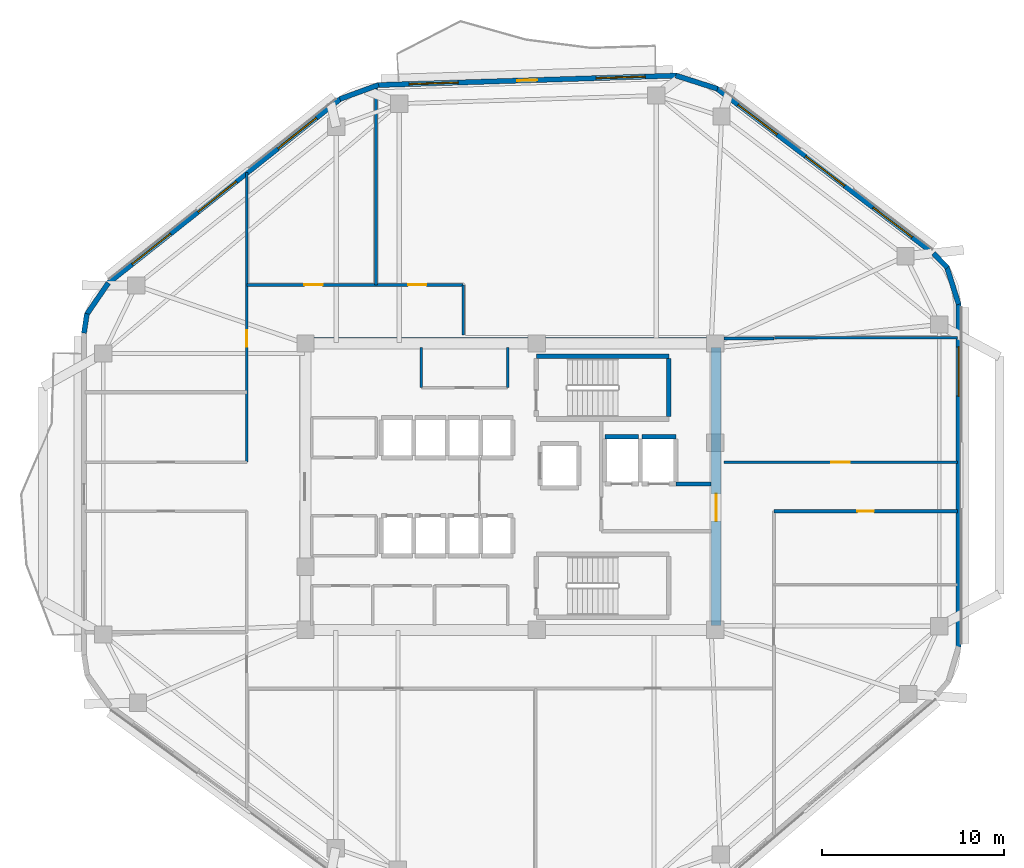
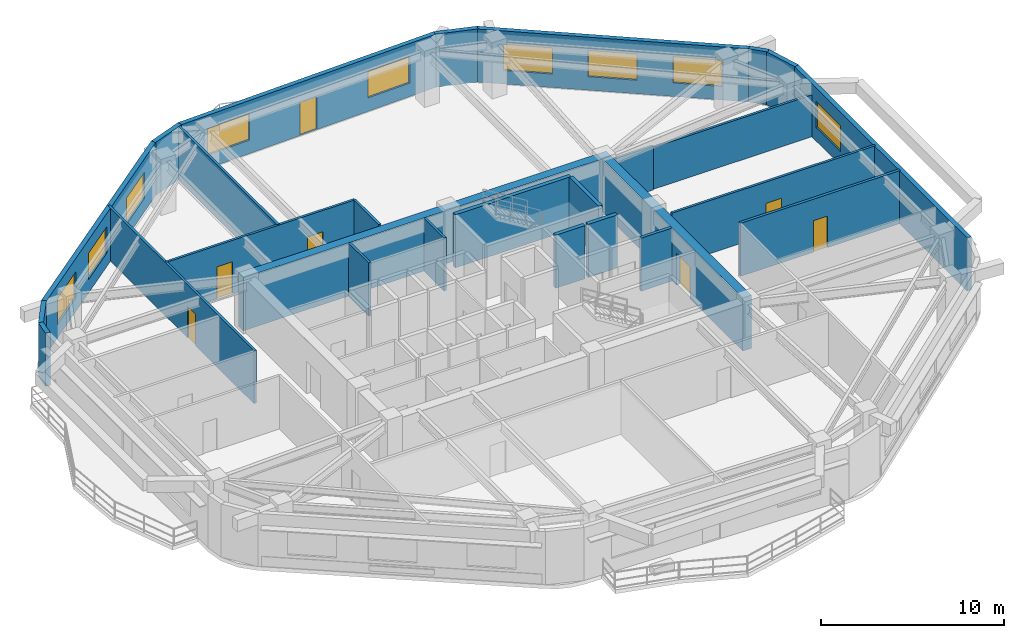
# One storey, part 5 of 9: 27 walls, 9 windows, 7 doors, 16 openings.
"""IFC4 building model written with IfcOpenShell, lengths in metres."""

from ifc_helpers import new_model, si_unit, direction, frame, frame_2d, origin, place, context, subcontext, project, spatial, rectangle, extrude, material, layer, layer_set, type_object, element, fill, save


model = new_model("IFC4")

# Units and contexts
model_context = context("Model", 3, precision=1e-05, world=origin(), true_north=direction((0.0, 1.0)))
body_context = subcontext(model_context, "Body", "Model", "MODEL_VIEW")
ifc_project = project(units=[si_unit("LENGTHUNIT", "METRE"), si_unit("AREAUNIT", "SQUARE_METRE"), si_unit("VOLUMEUNIT", "CUBIC_METRE"), si_unit("PLANEANGLEUNIT", "RADIAN"), si_unit("MASSUNIT", "GRAM", prefix="KILO")], contexts=[model_context])

# Site, building, storey
site_placement = place(None, origin())
site = spatial("IfcSite", under=ifc_project, at=site_placement, CompositionType="ELEMENT")
building_placement = place(site_placement, origin())
building = spatial("IfcBuilding", under=site, at=building_placement, Name="Zulverin Broadcast Headquarters", CompositionType="ELEMENT")
storey_placement = place(building_placement, frame((0.0, 0.0, 189.60009765625)))
storey = spatial("IfcBuildingStorey", under=building, at=storey_placement, Name="L48", CompositionType="ELEMENT", Elevation=189.60009765625)

# Wall
ifc_material_1 = material(Name="Concrete C60/75", Category="concrete")
ifc_layer_1 = layer(ifc_material_1, 0.550048828125, Name="Concrete C60/75", Category="concrete")
ifc_layer_set_1 = layer_set([ifc_layer_1], Name="Concrete C60/75")
wall_type_1 = type_object("IfcWallType", Name="WL-CORE-550", PredefinedType="SHEAR", material=ifc_layer_set_1)
wall_1_placement = place(storey_placement, frame((25.39990234375, 33.125, 0.0), z_axis=(0.0, 0.0, 1.0), x_axis=(1.0, 0.0, 0.0)))
element("IfcWall", 1, at=wall_1_placement, inside=storey, type_object=wall_type_1, Name="L48 Core North Shear Wall", PredefinedType="SHEAR", context=body_context, shape_type="SweptSolid", body=[
    extrude(rectangle(XDim=23.2001953125, YDim=0.550048828125, at=frame_2d((11.60009765625, 0.0))), origin(), (0.0, 0.0, 1.0), 3.539794921875),
])

# Wall, opening, door
wall_2_placement = place(storey_placement, frame((48.324951171875, 17.550048828125, 0.0), z_axis=(0.0, 0.0, 1.0), x_axis=(0.0, 1.0, 0.0)))
wall_2 = element("IfcWall", 2, at=wall_2_placement, inside=storey, type_object=wall_type_1, Name="L48 Core East Shear Wall", PredefinedType="SHEAR", context=body_context, shape_type="SweptSolid", body=[
    extrude(rectangle(XDim=15.300048828125, YDim=0.550048828125, at=frame_2d((7.64990234375, 0.0))), origin(), (0.0, 0.0, 1.0), 3.539794921875),
])
opening_1_placement = place(wall_2_placement, frame((5.75, 0.0, 0.0)))
opening_1 = element("IfcOpeningElement", 3, at=opening_1_placement, cuts=wall_2, Name="Opening D-L48-CE1", PredefinedType="OPENING", context=body_context, shape_type="SweptSolid", body=[
    extrude(rectangle(XDim=1.5, YDim=2.14990234375, at=frame_2d((0.75, 1.074951171875))), frame((0.0, 0.284912109375, 0.0), z_axis=(0.0, -1.0, 0.0), x_axis=(1.0, 0.0, 0.0)), (0.0, 0.0, 1.0), 0.570068359375),
])
ifc_material_2 = material(Name="Fire-rated glazed steel frame", Category="steel")
door_type_1 = type_object("IfcDoorType", Name="DR-COR-1500", OperationType="DOUBLE_DOOR_SINGLE_SWING", PredefinedType="DOOR", material=ifc_material_2)
door_1_placement = place(opening_1_placement, origin())
door_1 = element("IfcDoor", 4, at=door_1_placement, inside=storey, type_object=door_type_1, Name="L48 Firefighting Lobby East Corridor Door", OperationType="DOUBLE_DOOR_SINGLE_SWING", OverallHeight=2.14990234375, OverallWidth=1.5, PredefinedType="DOOR", context=body_context, shape_type="SweptSolid", body=[
    extrude(rectangle(XDim=1.5, YDim=2.14990234375, at=frame_2d((0.75, 1.074951171875))), frame((0.0, 0.02490234375, 0.0), z_axis=(0.0, -1.0, 0.0), x_axis=(1.0, 0.0, 0.0)), (0.0, 0.0, 1.0), 0.050048828125),
])
fill(opening_1, door_1)

# Wall, opening, window
ifc_material_3 = material(Name="Insulated pale-metal clad concrete spandrel C40/50", Category="concrete")
ifc_layer_2 = layer(ifc_material_3, 0.280029296875, Name="Insulated pale-metal clad concrete spandrel C40/50", Category="concrete")
ifc_layer_set_2 = layer_set([ifc_layer_2], Name="Insulated pale-metal clad concrete spandrel C40/50")
wall_type_2 = type_object("IfcWallType", Name="WL-EXT-280", PredefinedType="STANDARD", material=ifc_layer_set_2)
wall_3_placement = place(storey_placement, frame((61.659912109375, 16.369384765625, 0.0), z_axis=(0.0, 0.0, 1.0), x_axis=(0.0, 1.0, 0.0)))
wall_3 = element("IfcWall", 5, at=wall_3_placement, inside=storey, type_object=wall_type_2, Name="L48 Pale-Metal Clad Spandrel Wall 3", PredefinedType="STANDARD", context=body_context, shape_type="SweptSolid", body=[
    extrude(rectangle(XDim=18.902099609375, YDim=0.280029296875, at=frame_2d((9.451171875, 0.0))), origin(), (0.0, 0.0, 1.0), 3.539794921875),
])
opening_2_placement = place(wall_3_placement, frame((13.818603515625, 0.0, 0.89990234375)))
opening_2 = element("IfcOpeningElement", 6, at=opening_2_placement, cuts=wall_3, Name="Opening W-L48-E31", PredefinedType="OPENING", context=body_context, shape_type="SweptSolid", body=[
    extrude(rectangle(XDim=2.699951171875, YDim=1.75, at=frame_2d((1.35009765625, 0.875))), frame((0.0, 0.14990234375, 0.0), z_axis=(0.0, -1.0, 0.0), x_axis=(1.0, 0.0, 0.0)), (0.0, 0.0, 1.0), 0.300048828125),
])
ifc_material_4 = material(Name="Pale anodized aluminium frame with solar-control low-E double glazing", Category="aluminium")
window_type = type_object("IfcWindowType", Name="WIN-TWR-2700", PartitioningType="SINGLE_PANEL", PredefinedType="WINDOW", material=ifc_material_4)
window_1_placement = place(opening_2_placement, origin())
window_1 = element("IfcWindow", 7, at=window_1_placement, inside=storey, type_object=window_type, Name="L48 Ribbon Glazing Window 3 1", OverallHeight=1.75, OverallWidth=2.699951171875, PartitioningType="SINGLE_PANEL", PredefinedType="WINDOW", context=body_context, shape_type="SweptSolid", body=[
    extrude(rectangle(XDim=2.699951171875, YDim=1.75, at=frame_2d((1.35009765625, 0.875))), frame((0.0, 0.030029296875, 0.0), z_axis=(0.0, -1.0, 0.0), x_axis=(1.0, 0.0, 0.0)), (0.0, 0.0, 1.0), 0.06005859375),
])
fill(opening_2, window_1)

# Wall, openings, windows
wall_4_placement = place(storey_placement, frame((60.294921875, 38.025146484375, 0.0), z_axis=(0.0, 0.0, 1.0), x_axis=(-0.795831760834, 0.605517801925, 0.0)))
wall_4 = element("IfcWall", 8, at=wall_4_placement, inside=storey, type_object=wall_type_2, Name="L48 Pale-Metal Clad Spandrel Wall 4", PredefinedType="STANDARD", context=body_context, shape_type="SweptSolid", body=[
    extrude(rectangle(XDim=15.01171875, YDim=0.280029296875, at=frame_2d((7.505859375, 0.0))), origin(), (0.0, 0.0, 1.0), 3.539794921875),
])
opening_3_placement = place(wall_4_placement, frame((1.4853515625, 0.0, 0.89990234375)))
opening_3 = element("IfcOpeningElement", 9, at=opening_3_placement, cuts=wall_4, Name="Opening W-L48-E41", PredefinedType="OPENING", context=body_context, shape_type="SweptSolid", body=[
    extrude(rectangle(XDim=2.699951171875, YDim=1.75, at=frame_2d((1.35009765625, 0.875))), frame((0.0, 0.14990234375, 0.0), z_axis=(0.0, -1.0, 0.0), x_axis=(1.0, 0.0, 0.0)), (0.0, 0.0, 1.0), 0.300048828125),
])
opening_4_placement = place(wall_4_placement, frame((6.156005859375, 0.0, 0.89990234375)))
opening_4 = element("IfcOpeningElement", 10, at=opening_4_placement, cuts=wall_4, Name="Opening W-L48-E42", PredefinedType="OPENING", context=body_context, shape_type="SweptSolid", body=[
    extrude(rectangle(XDim=2.699951171875, YDim=1.75, at=frame_2d((1.35009765625, 0.875))), frame((0.0, 0.14990234375, 0.0), z_axis=(0.0, -1.0, 0.0), x_axis=(1.0, 0.0, 0.0)), (0.0, 0.0, 1.0), 0.300048828125),
])
opening_5_placement = place(wall_4_placement, frame((10.826416015625, 0.0, 0.89990234375)))
opening_5 = element("IfcOpeningElement", 11, at=opening_5_placement, cuts=wall_4, Name="Opening W-L48-E43", PredefinedType="OPENING", context=body_context, shape_type="SweptSolid", body=[
    extrude(rectangle(XDim=2.699951171875, YDim=1.75, at=frame_2d((1.35009765625, 0.875))), frame((0.0, 0.14990234375, 0.0), z_axis=(0.0, -1.0, 0.0), x_axis=(1.0, 0.0, 0.0)), (0.0, 0.0, 1.0), 0.300048828125),
])
window_2_placement = place(opening_3_placement, origin())
window_2 = element("IfcWindow", 12, at=window_2_placement, inside=storey, type_object=window_type, Name="L48 Ribbon Glazing Window 4 1", OverallHeight=1.75, OverallWidth=2.699951171875, PartitioningType="SINGLE_PANEL", PredefinedType="WINDOW", context=body_context, shape_type="SweptSolid", body=[
    extrude(rectangle(XDim=2.699951171875, YDim=1.75, at=frame_2d((1.35009765625, 0.875))), frame((0.0, 0.030029296875, 0.0), z_axis=(0.0, -1.0, 0.0), x_axis=(1.0, 0.0, 0.0)), (0.0, 0.0, 1.0), 0.06005859375),
])
fill(opening_3, window_2)
window_3_placement = place(opening_4_placement, origin())
window_3 = element("IfcWindow", 13, at=window_3_placement, inside=storey, type_object=window_type, Name="L48 Ribbon Glazing Window 4 2", OverallHeight=1.75, OverallWidth=2.699951171875, PartitioningType="SINGLE_PANEL", PredefinedType="WINDOW", context=body_context, shape_type="SweptSolid", body=[
    extrude(rectangle(XDim=2.699951171875, YDim=1.75, at=frame_2d((1.35009765625, 0.875))), frame((0.0, 0.030029296875, 0.0), z_axis=(0.0, -1.0, 0.0), x_axis=(1.0, 0.0, 0.0)), (0.0, 0.0, 1.0), 0.06005859375),
])
fill(opening_4, window_3)
window_4_placement = place(opening_5_placement, origin())
window_4 = element("IfcWindow", 14, at=window_4_placement, inside=storey, type_object=window_type, Name="L48 Ribbon Glazing Window 4 3", OverallHeight=1.75, OverallWidth=2.699951171875, PartitioningType="SINGLE_PANEL", PredefinedType="WINDOW", context=body_context, shape_type="SweptSolid", body=[
    extrude(rectangle(XDim=2.699951171875, YDim=1.75, at=frame_2d((1.35009765625, 0.875))), frame((0.0, 0.030029296875, 0.0), z_axis=(0.0, -1.0, 0.0), x_axis=(1.0, 0.0, 0.0)), (0.0, 0.0, 1.0), 0.06005859375),
])
fill(opening_5, window_4)

# Wall, openings, door, windows
wall_5_placement = place(storey_placement, frame((46.143310546875, 47.819580078125, 0.0), z_axis=(0.0, 0.0, 1.0), x_axis=(-0.999497065256, -0.031711457627, 0.0)))
wall_5 = element("IfcWall", 15, at=wall_5_placement, inside=storey, type_object=wall_type_2, Name="L48 Pale-Metal Clad Spandrel Wall 5", PredefinedType="STANDARD", context=body_context, shape_type="SweptSolid", body=[
    extrude(rectangle(XDim=16.452392578125, YDim=0.280029296875, at=frame_2d((8.22607421875, 0.0))), origin(), (0.0, 0.0, 1.0), 3.539794921875),
])
opening_6_placement = place(wall_5_placement, frame((7.67626953125, 0.0, 0.0)))
opening_6 = element("IfcOpeningElement", 16, at=opening_6_placement, cuts=wall_5, Name="Opening D-L48-TR5", PredefinedType="OPENING", context=body_context, shape_type="SweptSolid", body=[
    extrude(rectangle(XDim=1.10009765625, YDim=2.199951171875, at=frame_2d((0.550048828125, 1.10009765625))), frame((0.0, 0.14990234375, 0.0), z_axis=(0.0, -1.0, 0.0), x_axis=(1.0, 0.0, 0.0)), (0.0, 0.0, 1.0), 0.300048828125),
])
opening_7_placement = place(wall_5_placement, frame((1.725341796875, 0.0, 0.89990234375)))
opening_7 = element("IfcOpeningElement", 17, at=opening_7_placement, cuts=wall_5, Name="Opening W-L48-E51", PredefinedType="OPENING", context=body_context, shape_type="SweptSolid", body=[
    extrude(rectangle(XDim=2.699951171875, YDim=1.75, at=frame_2d((1.35009765625, 0.875))), frame((0.0, 0.14990234375, 0.0), z_axis=(0.0, -1.0, 0.0), x_axis=(1.0, 0.0, 0.0)), (0.0, 0.0, 1.0), 0.300048828125),
])
opening_8_placement = place(wall_5_placement, frame((12.027099609375, 0.0, 0.89990234375)))
opening_8 = element("IfcOpeningElement", 18, at=opening_8_placement, cuts=wall_5, Name="Opening W-L48-E52", PredefinedType="OPENING", context=body_context, shape_type="SweptSolid", body=[
    extrude(rectangle(XDim=2.699951171875, YDim=1.75, at=frame_2d((1.35009765625, 0.875))), frame((0.0, 0.14990234375, 0.0), z_axis=(0.0, -1.0, 0.0), x_axis=(1.0, 0.0, 0.0)), (0.0, 0.0, 1.0), 0.300048828125),
])
ifc_material_5 = material(Name="Thermally broken aluminium glazed", Category="aluminium")
door_type_2 = type_object("IfcDoorType", Name="DR-TERR-1100", OperationType="SINGLE_SWING_RIGHT", PredefinedType="DOOR", material=ifc_material_5)
door_2_placement = place(opening_6_placement, origin())
door_2 = element("IfcDoor", 19, at=door_2_placement, inside=storey, type_object=door_type_2, Name="L48 Planted Terrace Glazed Access Door 5", OperationType="SINGLE_SWING_RIGHT", OverallHeight=2.199951171875, OverallWidth=1.10009765625, PredefinedType="DOOR", context=body_context, shape_type="SweptSolid", body=[
    extrude(rectangle(XDim=1.10009765625, YDim=2.199951171875, at=frame_2d((0.550048828125, 1.10009765625))), frame((0.0, 0.02490234375, 0.0), z_axis=(0.0, -1.0, 0.0), x_axis=(1.0, 0.0, 0.0)), (0.0, 0.0, 1.0), 0.050048828125),
])
fill(opening_6, door_2)
window_5_placement = place(opening_7_placement, origin())
window_5 = element("IfcWindow", 20, at=window_5_placement, inside=storey, type_object=window_type, Name="L48 Ribbon Glazing Window 5 1", OverallHeight=1.75, OverallWidth=2.699951171875, PartitioningType="SINGLE_PANEL", PredefinedType="WINDOW", context=body_context, shape_type="SweptSolid", body=[
    extrude(rectangle(XDim=2.699951171875, YDim=1.75, at=frame_2d((1.35009765625, 0.875))), frame((0.0, 0.030029296875, 0.0), z_axis=(0.0, -1.0, 0.0), x_axis=(1.0, 0.0, 0.0)), (0.0, 0.0, 1.0), 0.06005859375),
])
fill(opening_7, window_5)
window_6_placement = place(opening_8_placement, origin())
window_6 = element("IfcWindow", 21, at=window_6_placement, inside=storey, type_object=window_type, Name="L48 Ribbon Glazing Window 5 2", OverallHeight=1.75, OverallWidth=2.699951171875, PartitioningType="SINGLE_PANEL", PredefinedType="WINDOW", context=body_context, shape_type="SweptSolid", body=[
    extrude(rectangle(XDim=2.699951171875, YDim=1.75, at=frame_2d((1.35009765625, 0.875))), frame((0.0, 0.030029296875, 0.0), z_axis=(0.0, -1.0, 0.0), x_axis=(1.0, 0.0, 0.0)), (0.0, 0.0, 1.0), 0.06005859375),
])
fill(opening_8, window_6)

# Wall, openings, windows
wall_6_placement = place(storey_placement, frame((27.657958984375, 46.5498046875, 0.0), z_axis=(0.0, 0.0, 1.0), x_axis=(-0.783266285861, -0.621686356158, 0.0)))
wall_6 = element("IfcWall", 22, at=wall_6_placement, inside=storey, type_object=wall_type_2, Name="L48 Pale-Metal Clad Spandrel Wall 6", PredefinedType="STANDARD", context=body_context, shape_type="SweptSolid", body=[
    extrude(rectangle(XDim=16.35302734375, YDim=0.280029296875, at=frame_2d((8.176513671875, 0.0))), origin(), (0.0, 0.0, 1.0), 3.539794921875),
])
opening_9_placement = place(wall_6_placement, frame((1.708740234375, 0.0, 0.89990234375)))
opening_9 = element("IfcOpeningElement", 23, at=opening_9_placement, cuts=wall_6, Name="Opening W-L48-E61", PredefinedType="OPENING", context=body_context, shape_type="SweptSolid", body=[
    extrude(rectangle(XDim=2.699951171875, YDim=1.75, at=frame_2d((1.35009765625, 0.875))), frame((0.0, 0.14990234375, 0.0), z_axis=(0.0, -1.0, 0.0), x_axis=(1.0, 0.0, 0.0)), (0.0, 0.0, 1.0), 0.300048828125),
])
opening_10_placement = place(wall_6_placement, frame((7.326416015625, 0.0, 0.89990234375)))
opening_10 = element("IfcOpeningElement", 24, at=opening_10_placement, cuts=wall_6, Name="Opening W-L48-E62", PredefinedType="OPENING", context=body_context, shape_type="SweptSolid", body=[
    extrude(rectangle(XDim=2.699951171875, YDim=1.75, at=frame_2d((1.35009765625, 0.875))), frame((0.0, 0.14990234375, 0.0), z_axis=(0.0, -1.0, 0.0), x_axis=(1.0, 0.0, 0.0)), (0.0, 0.0, 1.0), 0.300048828125),
])
opening_11_placement = place(wall_6_placement, frame((11.944091796875, 0.0, 0.89990234375)))
opening_11 = element("IfcOpeningElement", 25, at=opening_11_placement, cuts=wall_6, Name="Opening W-L48-E63", PredefinedType="OPENING", context=body_context, shape_type="SweptSolid", body=[
    extrude(rectangle(XDim=2.699951171875, YDim=1.75, at=frame_2d((1.35009765625, 0.875))), frame((0.0, 0.14990234375, 0.0), z_axis=(0.0, -1.0, 0.0), x_axis=(1.0, 0.0, 0.0)), (0.0, 0.0, 1.0), 0.300048828125),
])
window_7_placement = place(opening_9_placement, origin())
window_7 = element("IfcWindow", 26, at=window_7_placement, inside=storey, type_object=window_type, Name="L48 Ribbon Glazing Window 6 1", OverallHeight=1.75, OverallWidth=2.699951171875, PartitioningType="SINGLE_PANEL", PredefinedType="WINDOW", context=body_context, shape_type="SweptSolid", body=[
    extrude(rectangle(XDim=2.699951171875, YDim=1.75, at=frame_2d((1.35009765625, 0.875))), frame((0.0, 0.030029296875, 0.0), z_axis=(0.0, -1.0, 0.0), x_axis=(1.0, 0.0, 0.0)), (0.0, 0.0, 1.0), 0.06005859375),
])
fill(opening_9, window_7)
window_8_placement = place(opening_10_placement, origin())
window_8 = element("IfcWindow", 27, at=window_8_placement, inside=storey, type_object=window_type, Name="L48 Ribbon Glazing Window 6 2", OverallHeight=1.75, OverallWidth=2.699951171875, PartitioningType="SINGLE_PANEL", PredefinedType="WINDOW", context=body_context, shape_type="SweptSolid", body=[
    extrude(rectangle(XDim=2.699951171875, YDim=1.75, at=frame_2d((1.35009765625, 0.875))), frame((0.0, 0.030029296875, 0.0), z_axis=(0.0, -1.0, 0.0), x_axis=(1.0, 0.0, 0.0)), (0.0, 0.0, 1.0), 0.06005859375),
])
fill(opening_10, window_8)
window_9_placement = place(opening_11_placement, origin())
window_9 = element("IfcWindow", 28, at=window_9_placement, inside=storey, type_object=window_type, Name="L48 Ribbon Glazing Window 6 3", OverallHeight=1.75, OverallWidth=2.699951171875, PartitioningType="SINGLE_PANEL", PredefinedType="WINDOW", context=body_context, shape_type="SweptSolid", body=[
    extrude(rectangle(XDim=2.699951171875, YDim=1.75, at=frame_2d((1.35009765625, 0.875))), frame((0.0, 0.030029296875, 0.0), z_axis=(0.0, -1.0, 0.0), x_axis=(1.0, 0.0, 0.0)), (0.0, 0.0, 1.0), 0.06005859375),
])
fill(opening_11, window_9)

# Walls
wall_7_placement = place(storey_placement, frame((61.66650390625, 35.229248046875, 0.0), z_axis=(0.0, 0.0, 1.0), x_axis=(-0.302044777107, 0.953293738898, 0.0)))
element("IfcWall", 29, at=wall_7_placement, inside=storey, type_object=wall_type_2, Name="L48 Wind-Shaped Corner Spandrel Wall 3-1", PredefinedType="STANDARD", context=body_context, shape_type="SweptSolid", body=[
    extrude(rectangle(XDim=2.17431640625, YDim=0.280029296875, at=frame_2d((1.087158203125, 0.0))), origin(), (0.0, 0.0, 1.0), 3.539794921875),
])
wall_8_placement = place(storey_placement, frame((61.04248046875, 37.247314453125, 0.0), z_axis=(0.0, 0.0, 1.0), x_axis=(-0.694004126367, 0.719971022045, 0.0)))
element("IfcWall", 30, at=wall_8_placement, inside=storey, type_object=wall_type_2, Name="L48 Wind-Shaped Corner Spandrel Wall 3-2", PredefinedType="STANDARD", context=body_context, shape_type="SweptSolid", body=[
    extrude(rectangle(XDim=1.10009765625, YDim=0.280029296875, at=frame_2d((0.550048828125, 0.0))), origin(), (0.0, 0.0, 1.0), 3.539794921875),
])
wall_9_placement = place(storey_placement, frame((48.390380859375, 47.093017578125, 0.0), z_axis=(0.0, 0.0, 1.0), x_axis=(-0.952542948918, 0.304404222156, 0.0)))
element("IfcWall", 31, at=wall_9_placement, inside=storey, type_object=wall_type_2, Name="L48 Wind-Shaped Corner Spandrel Wall 4-1", PredefinedType="STANDARD", context=body_context, shape_type="SweptSolid", body=[
    extrude(rectangle(XDim=2.408447265625, YDim=0.280029296875, at=frame_2d((1.2041015625, 0.0))), origin(), (0.0, 0.0, 1.0), 3.539794921875),
])
wall_10_placement = place(storey_placement, frame((29.742919921875, 47.306396484375, 0.0), z_axis=(0.0, 0.0, 1.0), x_axis=(-0.93893328381, -0.344099242302, 0.0)))
element("IfcWall", 32, at=wall_10_placement, inside=storey, type_object=wall_type_2, Name="L48 Wind-Shaped Corner Spandrel Wall 5-1", PredefinedType="STANDARD", context=body_context, shape_type="SweptSolid", body=[
    extrude(rectangle(XDim=2.261962890625, YDim=0.280029296875, at=frame_2d((1.130859375, 0.0))), origin(), (0.0, 0.0, 1.0), 3.539794921875),
])
wall_11_placement = place(storey_placement, frame((14.877685546875, 36.4140625, 0.0), z_axis=(0.0, 0.0, 1.0), x_axis=(-0.564564614133, -0.825388875906, 0.0)))
element("IfcWall", 33, at=wall_11_placement, inside=storey, type_object=wall_type_2, Name="L48 Wind-Shaped Corner Spandrel Wall 6-1", PredefinedType="STANDARD", context=body_context, shape_type="SweptSolid", body=[
    extrude(rectangle(XDim=2.127685546875, YDim=0.280029296875, at=frame_2d((1.06396484375, 0.0))), origin(), (0.0, 0.0, 1.0), 3.539794921875),
])
wall_12_placement = place(storey_placement, frame((13.69921875, 34.716064453125, 0.0), z_axis=(0.0, 0.0, 1.0), x_axis=(-0.149549920187, -0.988754176412, 0.0)))
element("IfcWall", 34, at=wall_12_placement, inside=storey, type_object=wall_type_2, Name="L48 Wind-Shaped Corner Spandrel Wall 6-2", PredefinedType="STANDARD", context=body_context, shape_type="SweptSolid", body=[
    extrude(rectangle(XDim=1.075927734375, YDim=0.280029296875, at=frame_2d((0.5380859375, 0.0))), origin(), (0.0, 0.0, 1.0), 3.539794921875),
])
ifc_material_6 = material(Name="Concrete C40/50", Category="concrete")
ifc_layer_3 = layer(ifc_material_6, 0.199951171875, Name="Concrete C40/50", Category="concrete")
ifc_layer_set_3 = layer_set([ifc_layer_3], Name="Concrete C40/50")
wall_type_3 = type_object("IfcWallType", Name="WL-FFL-200", PredefinedType="SOLIDWALL", material=ifc_layer_set_3)
wall_13_placement = place(storey_placement, frame((46.10009765625, 25.35009765625, 0.0), z_axis=(0.0, 0.0, 1.0), x_axis=(1.0, 0.0, 0.0)))
element("IfcWall", 35, at=wall_13_placement, inside=storey, type_object=wall_type_3, Name="L48 Firefighting Lift Lobby North Wall", PredefinedType="SOLIDWALL", context=body_context, shape_type="SweptSolid", body=[
    extrude(rectangle(XDim=1.949951171875, YDim=0.199951171875, at=frame_2d((0.97509765625, 0.0))), origin(), (0.0, 0.0, 1.0), 3.539794921875),
])
ifc_material_7 = material(Name="Fire-rated gypsum stud partition", Category="gypsum")
ifc_layer_4 = layer(ifc_material_7, 0.14990234375, Name="Fire-rated gypsum stud partition", Category="gypsum")
ifc_layer_set_4 = layer_set([ifc_layer_4], Name="Fire-rated gypsum stud partition")
wall_type_4 = type_object("IfcWallType", Name="WL-PART-150", PredefinedType="PARTITIONING", material=ifc_layer_set_4)
for number, where, z_axis, x_axis, name in (
    (36, (32.10009765625, 30.64990234375, 0.0), (0.0, 0.0, 1.0), (0.0, 1.0, 0.0), "L48 Core Accessible WC & Electrical Riser West Wall"),
    (37, (36.85009765625, 30.64990234375, 0.0), (0.0, 0.0, 1.0), (0.0, 1.0, 0.0), "L48 Core Accessible WC & Electrical Riser East Wall"),
):
    element("IfcWall", number, at=place(storey_placement, frame(where, z_axis=z_axis, x_axis=x_axis)), inside=storey, type_object=wall_type_4, Name=name, PredefinedType="PARTITIONING", context=body_context, shape_type="SweptSolid", body=[
        extrude(rectangle(XDim=2.2001953125, YDim=0.14990234375, at=frame_2d((1.10009765625, 0.0))), origin(), (0.0, 0.0, 1.0), 3.539794921875),
    ])
wall_14_placement = place(storey_placement, frame((34.39990234375, 33.5400390625, 0.0), z_axis=(0.0, 0.0, 1.0), x_axis=(0.0, 1.0, 0.0)))
element("IfcWall", 38, at=wall_14_placement, inside=storey, type_object=wall_type_4, Name="L48 Gallery Partition Wall CG-03", PredefinedType="PARTITIONING", context=body_context, shape_type="SweptSolid", body=[
    extrude(rectangle(XDim=2.760009765625, YDim=0.14990234375, at=frame_2d((1.3798828125, 0.0))), origin(), (0.0, 0.0, 1.0), 3.539794921875),
])
wall_15_placement = place(storey_placement, frame((29.60009765625, 36.300048828125, 0.0), z_axis=(0.0, 0.0, 1.0), x_axis=(0.0, 1.0, 0.0)))
element("IfcWall", 39, at=wall_15_placement, inside=storey, type_object=wall_type_4, Name="L48 Room Partition Wall RP-04", PredefinedType="PARTITIONING", context=body_context, shape_type="SweptSolid", body=[
    extrude(rectangle(XDim=10.91943359375, YDim=0.14990234375, at=frame_2d((5.459716796875, 0.0))), origin(), (0.0, 0.0, 1.0), 3.539794921875),
])

# Wall, opening, door
wall_16_placement = place(storey_placement, frame((22.5, 26.550048828125, 0.0), z_axis=(0.0, 0.0, 1.0), x_axis=(0.0, 1.0, 0.0)))
wall_16 = element("IfcWall", 40, at=wall_16_placement, inside=storey, type_object=wall_type_4, Name="L48 Gallery Partition Wall CG-07", PredefinedType="PARTITIONING", context=body_context, shape_type="SweptSolid", body=[
    extrude(rectangle(XDim=15.944580078125, YDim=0.14990234375, at=frame_2d((7.97216796875, 0.0))), origin(), (0.0, 0.0, 1.0), 3.539794921875),
])
opening_12_placement = place(wall_16_placement, frame((6.35009765625, 0.0, 0.0)))
opening_12 = element("IfcOpeningElement", 41, at=opening_12_placement, cuts=wall_16, Name="Opening D-L48-08", PredefinedType="OPENING", context=body_context, shape_type="SweptSolid", body=[
    extrude(rectangle(XDim=0.89990234375, YDim=2.10009765625, at=frame_2d((0.449951171875, 1.050048828125))), frame((0.0, 0.0849609375, 0.0), z_axis=(0.0, -1.0, 0.0), x_axis=(1.0, 0.0, 0.0)), (0.0, 0.0, 1.0), 0.169921875),
])
ifc_material_8 = material(Name="Fire-rated hardwood veneer timber leaf", Category="wood")
door_type_3 = type_object("IfcDoorType", Name="DR-ROOM-900", OperationType="SINGLE_SWING_RIGHT", PredefinedType="DOOR", material=ifc_material_8)
door_3_placement = place(opening_12_placement, origin())
door_3 = element("IfcDoor", 42, at=door_3_placement, inside=storey, type_object=door_type_3, Name="L48 Standards Review Suite Door", OperationType="SINGLE_SWING_LEFT", OverallHeight=2.10009765625, OverallWidth=0.89990234375, PredefinedType="DOOR", context=body_context, shape_type="SweptSolid", body=[
    extrude(rectangle(XDim=0.89990234375, YDim=2.10009765625, at=frame_2d((0.449951171875, 1.050048828125))), frame((0.0, 0.02490234375, 0.0), z_axis=(0.0, -1.0, 0.0), x_axis=(1.0, 0.0, 0.0)), (0.0, 0.0, 1.0), 0.050048828125),
])
fill(opening_12, door_3)

wall_17_placement = place(storey_placement, frame((48.739990234375, 26.550048828125, 0.0), z_axis=(0.0, 0.0, 1.0), x_axis=(1.0, 0.0, 0.0)))
wall_17 = element("IfcWall", 43, at=wall_17_placement, inside=storey, type_object=wall_type_4, Name="L48 Gallery Partition Wall CG-14", PredefinedType="PARTITIONING", context=body_context, shape_type="SweptSolid", body=[
    extrude(rectangle(XDim=12.85498046875, YDim=0.14990234375, at=frame_2d((6.427490234375, 0.0))), origin(), (0.0, 0.0, 1.0), 3.539794921875),
])
opening_13_placement = place(wall_17_placement, frame((5.927490234375, 0.0, 0.0)))
opening_13 = element("IfcOpeningElement", 44, at=opening_13_placement, cuts=wall_17, Name="Opening D-L48-11", PredefinedType="OPENING", context=body_context, shape_type="SweptSolid", body=[
    extrude(rectangle(XDim=1.0, YDim=2.1201171875, at=frame_2d((0.5, 1.06005859375))), frame((0.0, 0.0849609375, 0.0), z_axis=(0.0, -1.0, 0.0), x_axis=(1.0, 0.0, 0.0)), (0.0, 0.0, 1.0), 0.169921875),
])
ifc_material_9 = material(Name="Hardwood veneer acoustic leaf", Category="wood")
door_type_4 = type_object("IfcDoorType", Name="DR-OFF-1000", OperationType="SINGLE_SWING_LEFT", PredefinedType="DOOR", material=ifc_material_9)
door_4_placement = place(opening_13_placement, origin())
door_4 = element("IfcDoor", 45, at=door_4_placement, inside=storey, type_object=door_type_4, Name="L48 Legal & Compliance Office Door", OperationType="SINGLE_SWING_RIGHT", OverallHeight=2.1201171875, OverallWidth=1.0, PredefinedType="DOOR", context=body_context, shape_type="SweptSolid", body=[
    extrude(rectangle(XDim=1.0, YDim=2.1201171875, at=frame_2d((0.5, 1.06005859375))), frame((0.0, 0.02490234375, 0.0), z_axis=(0.0, -1.0, 0.0), x_axis=(1.0, 0.0, 0.0)), (0.0, 0.0, 1.0), 0.050048828125),
])
fill(opening_13, door_4)

# Walls
wall_18_placement = place(storey_placement, frame((48.739990234375, 33.35009765625, 0.0), z_axis=(0.0, 0.0, 1.0), x_axis=(1.0, 0.0, 0.0)))
element("IfcWall", 46, at=wall_18_placement, inside=storey, type_object=wall_type_4, Name="L48 Room Partition Wall RP-16", PredefinedType="PARTITIONING", context=body_context, shape_type="SweptSolid", body=[
    extrude(rectangle(XDim=2.758544921875, YDim=0.14990234375, at=frame_2d((1.37939453125, 0.0))), origin(), (0.0, 0.0, 1.0), 2.922607421875),
])
wall_19_placement = place(storey_placement, frame((51.5400390625, 33.39990234375, 0.0), z_axis=(0.0, 0.0, 1.0), x_axis=(1.0, 0.0, 0.0)))
element("IfcWall", 47, at=wall_19_placement, inside=storey, type_object=wall_type_4, Name="L48 Room Partition Wall RP-17", PredefinedType="PARTITIONING", context=body_context, shape_type="SweptSolid", body=[
    extrude(rectangle(XDim=10.054931640625, YDim=0.14990234375, at=frame_2d((5.02734375, 0.0))), origin(), (0.0, 0.0, 1.0), 2.789794921875),
])

# Wall, openings, doors
wall_20_placement = place(storey_placement, frame((22.5, 36.300048828125, 0.0), z_axis=(0.0, 0.0, 1.0), x_axis=(1.0, 0.0, 0.0)))
wall_20 = element("IfcWall", 48, at=wall_20_placement, inside=storey, type_object=wall_type_4, Name="L48 Gallery Partition Wall CG-18", PredefinedType="PARTITIONING", context=body_context, shape_type="SweptSolid", body=[
    extrude(rectangle(XDim=11.89990234375, YDim=0.14990234375, at=frame_2d((5.949951171875, 0.0))), origin(), (0.0, 0.0, 1.0), 3.539794921875),
])
opening_14_placement = place(wall_20_placement, frame((3.169921875, 0.0, 0.0)))
opening_14 = element("IfcOpeningElement", 49, at=opening_14_placement, cuts=wall_20, Name="Opening D-L48-01", PredefinedType="OPENING", context=body_context, shape_type="SweptSolid", body=[
    extrude(rectangle(XDim=1.0, YDim=2.1201171875, at=frame_2d((0.5, 1.06005859375))), frame((0.0, 0.0849609375, 0.0), z_axis=(0.0, -1.0, 0.0), x_axis=(1.0, 0.0, 0.0)), (0.0, 0.0, 1.0), 0.169921875),
])
opening_15_placement = place(wall_20_placement, frame((8.8798828125, 0.0, 0.0)))
opening_15 = element("IfcOpeningElement", 50, at=opening_15_placement, cuts=wall_20, Name="Opening D-L48-02", PredefinedType="OPENING", context=body_context, shape_type="SweptSolid", body=[
    extrude(rectangle(XDim=1.0, YDim=2.1201171875, at=frame_2d((0.5, 1.06005859375))), frame((0.0, 0.0849609375, 0.0), z_axis=(0.0, -1.0, 0.0), x_axis=(1.0, 0.0, 0.0)), (0.0, 0.0, 1.0), 0.169921875),
])
door_5_placement = place(opening_14_placement, origin())
door_5 = element("IfcDoor", 51, at=door_5_placement, inside=storey, type_object=door_type_4, Name="L48 Legal & Compliance Office Door", OperationType="SINGLE_SWING_RIGHT", OverallHeight=2.1201171875, OverallWidth=1.0, PredefinedType="DOOR", context=body_context, shape_type="SweptSolid", body=[
    extrude(rectangle(XDim=1.0, YDim=2.1201171875, at=frame_2d((0.5, 1.06005859375))), frame((0.0, 0.02490234375, 0.0), z_axis=(0.0, -1.0, 0.0), x_axis=(1.0, 0.0, 0.0)), (0.0, 0.0, 1.0), 0.050048828125),
])
fill(opening_14, door_5)
door_6_placement = place(opening_15_placement, origin())
door_6 = element("IfcDoor", 52, at=door_6_placement, inside=storey, type_object=door_type_4, Name="L48 Commissioning Office Door", OperationType="SINGLE_SWING_LEFT", OverallHeight=2.1201171875, OverallWidth=1.0, PredefinedType="DOOR", context=body_context, shape_type="SweptSolid", body=[
    extrude(rectangle(XDim=1.0, YDim=2.1201171875, at=frame_2d((0.5, 1.06005859375))), frame((0.0, 0.02490234375, 0.0), z_axis=(0.0, -1.0, 0.0), x_axis=(1.0, 0.0, 0.0)), (0.0, 0.0, 1.0), 0.050048828125),
])
fill(opening_15, door_6)

# Wall, opening, door
ifc_material_10 = material(Name="Fire-rated acoustic stud wall", Category="gypsum")
ifc_layer_5 = layer(ifc_material_10, 0.175048828125, Name="Fire-rated acoustic stud wall", Category="gypsum")
ifc_layer_set_5 = layer_set([ifc_layer_5], Name="Fire-rated acoustic stud wall")
wall_type_5 = type_object("IfcWallType", Name="WL-PART-175", PredefinedType="PARTITIONING", material=ifc_layer_set_5)
wall_21_placement = place(storey_placement, frame((51.5, 23.85009765625, 0.0), z_axis=(0.0, 0.0, 1.0), x_axis=(1.0, 0.0, 0.0)))
wall_21 = element("IfcWall", 53, at=wall_21_placement, inside=storey, type_object=wall_type_5, Name="L48 Gallery Partition Wall CG-12", PredefinedType="PARTITIONING", context=body_context, shape_type="SweptSolid", body=[
    extrude(rectangle(XDim=10.094970703125, YDim=0.175048828125, at=frame_2d((5.04736328125, 0.0))), origin(), (0.0, 0.0, 1.0), 3.539794921875),
])
opening_16_placement = place(wall_21_placement, frame((4.597412109375, 0.0, 0.0)))
opening_16 = element("IfcOpeningElement", 54, at=opening_16_placement, cuts=wall_21, Name="Opening D-L48-10", PredefinedType="OPENING", context=body_context, shape_type="SweptSolid", body=[
    extrude(rectangle(XDim=0.89990234375, YDim=2.10009765625, at=frame_2d((0.449951171875, 1.050048828125))), frame((0.0, 0.097412109375, 0.0), z_axis=(0.0, -1.0, 0.0), x_axis=(1.0, 0.0, 0.0)), (0.0, 0.0, 1.0), 0.195068359375),
])
door_7_placement = place(opening_16_placement, origin())
door_7 = element("IfcDoor", 55, at=door_7_placement, inside=storey, type_object=door_type_3, Name="L48 Floor Reception Door", OperationType="SINGLE_SWING_LEFT", OverallHeight=2.10009765625, OverallWidth=0.89990234375, PredefinedType="DOOR", context=body_context, shape_type="SweptSolid", body=[
    extrude(rectangle(XDim=0.89990234375, YDim=2.10009765625, at=frame_2d((0.449951171875, 1.050048828125))), frame((0.0, 0.02490234375, 0.0), z_axis=(0.0, -1.0, 0.0), x_axis=(1.0, 0.0, 0.0)), (0.0, 0.0, 1.0), 0.050048828125),
])
fill(opening_16, door_7)

# Walls
ifc_material_11 = material(Name="Concrete C50/60", Category="concrete")
ifc_layer_6 = layer(ifc_material_11, 0.25, Name="Concrete C50/60", Category="concrete")
ifc_layer_set_6 = layer_set([ifc_layer_6], Name="Concrete C50/60")
wall_type_6 = type_object("IfcWallType", Name="WL-SHAFT-250", PredefinedType="SHEAR", material=ifc_layer_set_6)
wall_22_placement = place(storey_placement, frame((38.425048828125, 32.375, 0.0), z_axis=(0.0, 0.0, 1.0), x_axis=(1.0, 0.0, 0.0)))
element("IfcWall", 56, at=wall_22_placement, inside=storey, type_object=wall_type_6, Name="L48 ST-1 Enclosure Wall N", PredefinedType="SHEAR", context=body_context, shape_type="SweptSolid", body=[
    extrude(rectangle(XDim=7.300048828125, YDim=0.25, at=frame_2d((3.64990234375, 0.0))), origin(), (0.0, 0.0, 1.0), 3.539794921875),
])
wall_23_placement = place(storey_placement, frame((45.72509765625, 29.050048828125, 0.0), z_axis=(0.0, 0.0, 1.0), x_axis=(0.0, 1.0, 0.0)))
element("IfcWall", 57, at=wall_23_placement, inside=storey, type_object=wall_type_6, Name="L48 ST-1 Enclosure Wall E", PredefinedType="SHEAR", context=body_context, shape_type="SweptSolid", body=[
    extrude(rectangle(XDim=3.199951171875, YDim=0.25, at=frame_2d((1.60009765625, 0.0))), origin(), (0.0, 0.0, 1.0), 3.539794921875),
])
for number, where, z_axis, x_axis, name in (
    (58, (42.199951171875, 27.949951171875, 0.0), (0.0, 0.0, 1.0), (1.0, 0.0, 0.0), "L48 Lift FFL-1 Shaft Wall N"),
    (59, (44.25, 27.949951171875, 0.0), (0.0, 0.0, 1.0), (1.0, 0.0, 0.0), "L48 Lift FFL-2 Shaft Wall N"),
):
    element("IfcWall", number, at=place(storey_placement, frame(where, z_axis=z_axis, x_axis=x_axis)), inside=storey, type_object=wall_type_6, Name=name, PredefinedType="SHEAR", context=body_context, shape_type="SweptSolid", body=[
        extrude(rectangle(XDim=1.85009765625, YDim=0.25, at=frame_2d((0.925048828125, 0.0))), origin(), (0.0, 0.0, 1.0), 3.539794921875),
    ])

save(model, "model.ifc")
